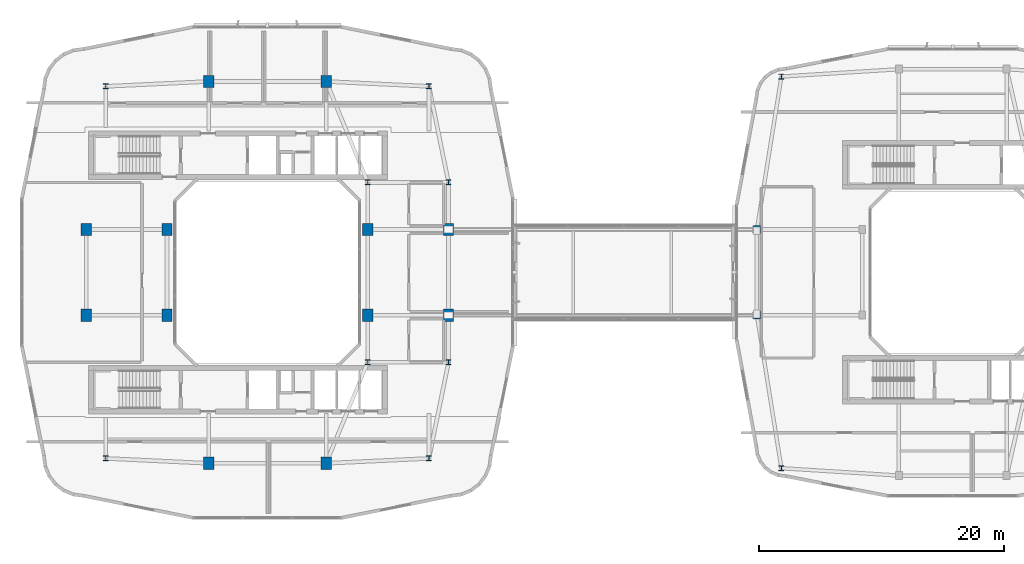
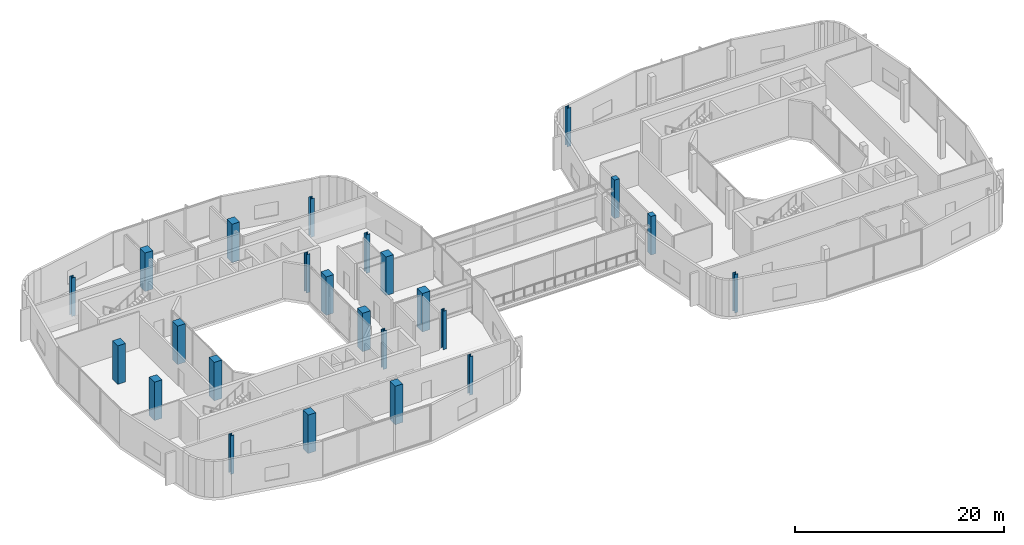
# One storey, part 1 of 24: 24 columns.
"""IFC4 building model written with IfcOpenShell, lengths in metres."""

from ifc_helpers import new_model, si_unit, derived_unit, direction, frame, origin, origin_2d, place, context, subcontext, project, spatial, rectangle, i_section, extrude, material, material_profile, profile_set, type_object, element, save


model = new_model("IFC4")

# Units and contexts
model_context = context("Model", 3, precision=1e-05, world=origin(), true_north=direction((0.0, 1.0)))
body_context = subcontext(model_context, "Body", "Model", "MODEL_VIEW")
ifc_project = project(units=[si_unit("LENGTHUNIT", "METRE"), si_unit("AREAUNIT", "SQUARE_METRE"), si_unit("VOLUMEUNIT", "CUBIC_METRE"), si_unit("PLANEANGLEUNIT", "RADIAN"), si_unit("MASSUNIT", "GRAM", prefix="KILO"), derived_unit("THERMALTRANSMITTANCEUNIT", [(si_unit("POWERUNIT", "WATT"), 1), (si_unit("LENGTHUNIT", "METRE"), -2), (si_unit("THERMODYNAMICTEMPERATUREUNIT", "KELVIN"), -1)])], contexts=[model_context])

# Site, building, storey
site_placement = place(None, origin())
site = spatial("IfcSite", under=ifc_project, at=site_placement, CompositionType="ELEMENT")
building_placement = place(site_placement, origin())
building = spatial("IfcBuilding", under=site, at=building_placement, Name="Kivonza Crest Hotel", CompositionType="ELEMENT")
storey_placement = place(building_placement, frame((0.0, 0.0, 119.5)))
storey = spatial("IfcBuildingStorey", under=building, at=storey_placement, Name="L32", CompositionType="ELEMENT", Elevation=119.5)

# Columns
ifc_material_1 = material(Name="Concrete C50/60", Category="concrete")
ifc_material_profile_1 = material_profile(ifc_material_1, rectangle(XDim=0.85009765625, YDim=1.0, at=origin_2d()), Name="RC 1000x850")
ifc_profile_set_1 = profile_set([ifc_material_profile_1], Name="Concrete C50/60")
column_type_1 = type_object("IfcColumnType", Name="CL-RC-1000x850", PredefinedType="COLUMN", material=ifc_profile_set_1)
for number, where, z_axis, x_axis, name in (
    (1, (16.199951171875, 9.39990234375, 0.0), (0.0, 0.0, 1.0), (1.0, 0.0, 0.0), "Tower T1 L32 column S1"),
    (2, (25.800048828125, 9.39990234375, 0.0), (0.0, 0.0, 1.0), (1.0, 0.0, 0.0), "Tower T1 L32 column S2"),
    (3, (16.199951171875, 40.60009765625, 0.0), (0.0, 0.0, 1.0), (1.0, 0.0, 0.0), "Tower T1 L32 column N1"),
    (4, (25.800048828125, 40.60009765625, 0.0), (0.0, 0.0, 1.0), (1.0, 0.0, 0.0), "Tower T1 L32 column N2"),
    (5, (6.199951171875, 21.5, 0.0), (0.0, 0.0, 1.0), (1.0, 0.0, 0.0), "Tower T1 L32 column W1"),
    (6, (6.199951171875, 28.5, 0.0), (0.0, 0.0, 1.0), (1.0, 0.0, 0.0), "Tower T1 L32 column W2"),
    (7, (35.800048828125, 21.5, 0.0), (0.0, 0.0, 1.0), (1.0, 0.0, 0.0), "Tower T1 L32 column E1"),
    (8, (35.800048828125, 28.5, 0.0), (0.0, 0.0, 1.0), (1.0, 0.0, 0.0), "Tower T1 L32 column E2"),
    (9, (12.800048828125, 21.5, 0.0), (0.0, 0.0, 1.0), (1.0, 0.0, 0.0), "Tower T1 L32 column WL1"),
    (10, (12.800048828125, 28.5, 0.0), (0.0, 0.0, 1.0), (1.0, 0.0, 0.0), "Tower T1 L32 column WL2"),
    (11, (29.199951171875, 21.5, 0.0), (0.0, 0.0, 1.0), (1.0, 0.0, 0.0), "Tower T1 L32 column WR1"),
    (12, (29.199951171875, 28.5, 0.0), (0.0, 0.0, 1.0), (1.0, 0.0, 0.0), "Tower T1 L32 column WR2"),
):
    element("IfcColumn", number, at=place(storey_placement, frame(where, z_axis=z_axis, x_axis=x_axis)), inside=storey, type_object=column_type_1, Name=name, PredefinedType="COLUMN", context=body_context, shape_type="SweptSolid", body=[
        extrude(rectangle(XDim=0.85009765625, YDim=1.0, at=origin_2d()), origin(), (0.0, 0.0, 1.0), 4.5),
    ])
ifc_material_profile_2 = material_profile(ifc_material_1, rectangle(XDim=0.550048828125, YDim=0.64990234375, at=origin_2d()), Name="RC 650x550")
ifc_profile_set_2 = profile_set([ifc_material_profile_2], Name="Concrete C50/60")
column_type_2 = type_object("IfcColumnType", Name="CL-RC-650x550", PredefinedType="COLUMN", material=ifc_profile_set_2)
for number, where, z_axis, x_axis, name in (
    (13, (61.0, 21.5, 0.0), (0.0, 0.0, 1.0), (1.0, 0.0, 0.0), "Companion Tower T2 L32 column W1"),
    (14, (61.0, 28.5, 0.0), (0.0, 0.0, 1.0), (1.0, 0.0, 0.0), "Companion Tower T2 L32 column W2"),
):
    element("IfcColumn", number, at=place(storey_placement, frame(where, z_axis=z_axis, x_axis=x_axis)), inside=storey, type_object=column_type_2, Name=name, PredefinedType="COLUMN", context=body_context, shape_type="SweptSolid", body=[
        extrude(rectangle(XDim=0.550048828125, YDim=0.64990234375, at=origin_2d()), origin(), (0.0, 0.0, 1.0), 4.5),
    ])
ifc_material_2 = material(Name="Steel S355", Category="steel")
ifc_material_profile_3 = material_profile(ifc_material_2, i_section(OverallWidth=0.406005859375, OverallDepth=0.416015625, WebThickness=0.02392578125, FlangeThickness=0.0390625, FilletRadius=0.014892578125, at=origin_2d()), Name="HD 400x382")
ifc_profile_set_3 = profile_set([ifc_material_profile_3], Name="Steel S355")
column_type_3 = type_object("IfcColumnType", Name="CL-ST-HD400", PredefinedType="COLUMN", material=ifc_profile_set_3)
for number, where, z_axis, x_axis, name in (
    (15, (7.800048828125, 9.800048828125, 0.0), (0.0, 0.0, 1.0), (1.0, 0.0, 0.0), "Tower T1 L32 column SW"),
    (16, (34.199951171875, 9.800048828125, 0.0), (0.0, 0.0, 1.0), (1.0, 0.0, 0.0), "Tower T1 L32 column SE"),
    (17, (34.199951171875, 40.199951171875, 0.0), (0.0, 0.0, 1.0), (1.0, 0.0, 0.0), "Tower T1 L32 column NE"),
    (18, (7.800048828125, 40.199951171875, 0.0), (0.0, 0.0, 1.0), (1.0, 0.0, 0.0), "Tower T1 L32 column NW"),
    (19, (35.800048828125, 17.64990234375, 0.0), (0.0, 0.0, 1.0), (1.0, 0.0, 0.0), "Tower T1 L32 column PSE"),
    (20, (35.800048828125, 32.35009765625, 0.0), (0.0, 0.0, 1.0), (1.0, 0.0, 0.0), "Tower T1 L32 column PNE"),
    (21, (29.199951171875, 17.64990234375, 0.0), (0.0, 0.0, 1.0), (1.0, 0.0, 0.0), "Tower T1 L32 column TSE"),
    (22, (29.199951171875, 32.35009765625, 0.0), (0.0, 0.0, 1.0), (1.0, 0.0, 0.0), "Tower T1 L32 column TNE"),
    (23, (63.0, 9.0, 0.0), (0.0, 0.0, 1.0), (1.0, 0.0, 0.0), "Companion Tower T2 L32 column SW"),
    (24, (63.0, 41.0, 0.0), (0.0, 0.0, 1.0), (1.0, 0.0, 0.0), "Companion Tower T2 L32 column NW"),
):
    element("IfcColumn", number, at=place(storey_placement, frame(where, z_axis=z_axis, x_axis=x_axis)), inside=storey, type_object=column_type_3, Name=name, PredefinedType="COLUMN", context=body_context, shape_type="SweptSolid", body=[
        extrude(i_section(OverallWidth=0.406005859375, OverallDepth=0.416015625, WebThickness=0.02392578125, FlangeThickness=0.0390625, FilletRadius=0.014892578125, at=origin_2d()), origin(), (0.0, 0.0, 1.0), 4.5),
    ])

save(model, "model.ifc")
